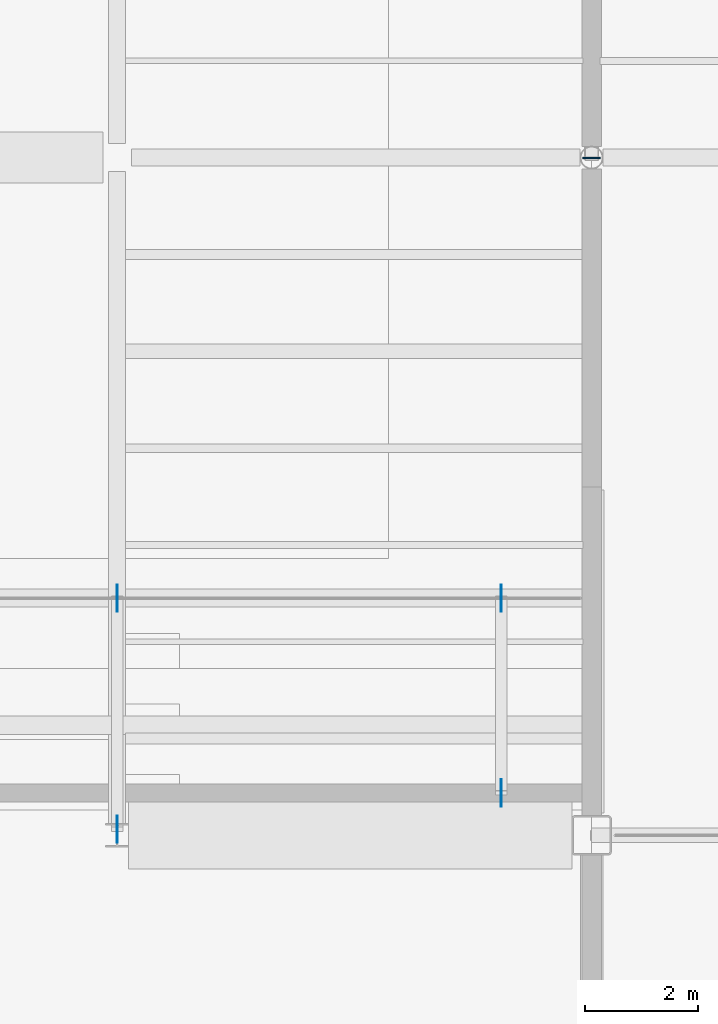
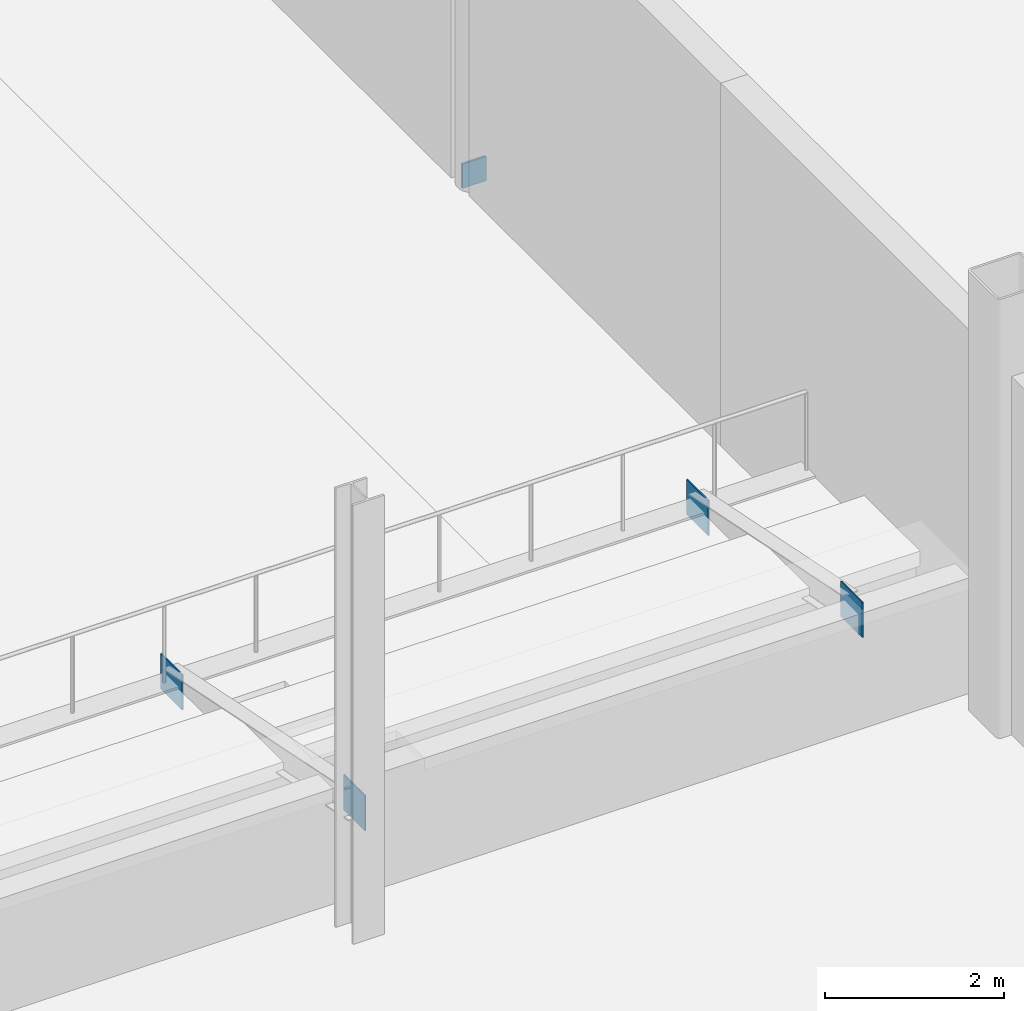
# One storey, part 90 of 135: 5 plates.
"""IFC4 building model written with IfcOpenShell, lengths in metres."""

import ifcopenshell
import ifcopenshell.guid

model = None  # the IFC model being written
_history = None  # IfcOwnerHistory: only IFC2X3 demands one
_inside = {}  # id of a spatial element -> (the spatial element, [elements in it])
_under = {}  # id of a project, library or spatial element -> (it, [spatial elements below it])
_declared = {}  # id of a project -> (the project, [libraries it declares])
_typed = {}  # id of a type object -> (the type object, [elements of that type])
_made_of = {}  # id of a material, layer set ... -> (it, [elements and type objects made of it])


def new_model(schema):
    """Start an empty IFC model of exactly this schema.

    Asked for "IFC4X3", IfcOpenShell would pick the latest addendum, in which some entities
    have other attributes; the version numbers below select the first issue.
    IFC2X3 requires an IfcOwnerHistory on every rooted entity: one is made here for all.
    """
    global model, _history
    if schema == "IFC4X3":
        model = ifcopenshell.file(schema_version=(4, 3, 0, 0))
    else:
        model = ifcopenshell.file(schema=schema)
    _inside.clear()
    _under.clear()
    _declared.clear()
    _typed.clear()
    _made_of.clear()
    _history = None
    if model.schema == "IFC2X3":
        org = make("IfcOrganization", Name="unknown")
        user = make(
            "IfcPersonAndOrganization",
            ThePerson=make("IfcPerson", FamilyName="unknown"),
            TheOrganization=org,
        )
        app = make(
            "IfcApplication",
            ApplicationDeveloper=org,
            Version="unknown",
            ApplicationFullName="unknown",
            ApplicationIdentifier="unknown",
        )
        _history = make(
            "IfcOwnerHistory",
            OwningUser=user,
            OwningApplication=app,
            ChangeAction="ADDED",
            CreationDate=0,
        )
    return model


def make(cls, **values):
    """One entity of the class cls with the attributes given. An attribute that is None is left unset."""
    return model.create_entity(
        cls, **{name: value for name, value in values.items() if value is not None}
    )


def rooted(cls, **values):
    """An entity with a GlobalId (a new one), such as an element, a storey or a relation."""
    return make(cls, GlobalId=ifcopenshell.guid.new(), OwnerHistory=_history, **values)


def si_unit(unit_type, name, prefix=None):
    """IfcSIUnit, for example si_unit("LENGTHUNIT", "METRE", prefix="MILLI")."""
    return make("IfcSIUnit", UnitType=unit_type, Prefix=prefix, Name=name)


def assignment(units):
    """IfcUnitAssignment: the units of a project."""
    return None if units is None else make("IfcUnitAssignment", Units=units)


def point(xyz):
    """IfcCartesianPoint."""
    return None if xyz is None else make("IfcCartesianPoint", Coordinates=xyz)


def direction(xyz):
    """IfcDirection."""
    return None if xyz is None else make("IfcDirection", DirectionRatios=xyz)


def frame(location, z_axis=None, x_axis=None):
    """IfcAxis2Placement3D, a coordinate frame: its origin and axes. An axis left out is left unset."""
    return make(
        "IfcAxis2Placement3D",
        Location=point(location),
        Axis=direction(z_axis),
        RefDirection=direction(x_axis),
    )


def frame_2d(location, x_axis=None):
    """IfcAxis2Placement2D, a coordinate frame in the plane: its origin and x axis."""
    return make(
        "IfcAxis2Placement2D", Location=point(location), RefDirection=direction(x_axis)
    )


def origin():
    """The frame at (0, 0, 0) with its axes left unset."""
    return frame((0.0, 0.0, 0.0))


def origin_2d():
    """The frame at (0, 0) in the plane with its x axis left unset."""
    return frame_2d((0.0, 0.0))


def place(relative_to, where):
    """IfcLocalPlacement: puts the frame where relative to a parent placement (None: the world)."""
    return make(
        "IfcLocalPlacement", PlacementRelTo=relative_to, RelativePlacement=where
    )


def context(
    kind, dimensions, precision=None, world=None, true_north=None, identifier=None
):
    """IfcGeometricRepresentationContext, for example the 3D "Model" context."""
    return make(
        "IfcGeometricRepresentationContext",
        ContextIdentifier=identifier,
        ContextType=kind,
        CoordinateSpaceDimension=dimensions,
        Precision=precision,
        WorldCoordinateSystem=world,
        TrueNorth=true_north,
    )


def subcontext(parent, identifier, kind, view, scale=None):
    """IfcGeometricRepresentationSubContext, for example "Body" below "Model"."""
    return make(
        "IfcGeometricRepresentationSubContext",
        ContextIdentifier=identifier,
        ContextType=kind,
        ParentContext=parent,
        TargetScale=scale,
        TargetView=view,
    )


def project(units=None, contexts=None):
    """IfcProject with its units and contexts."""
    return rooted(
        "IfcProject",
        Name="project",
        RepresentationContexts=contexts,
        UnitsInContext=assignment(units),
    )


def spatial(cls, under=None, at=None, **own):
    """A site, building, storey or space (cls), placed at a placement, below another one or the project."""
    s = rooted(cls, ObjectPlacement=at, **own)
    if under is not None:
        _under.setdefault(under.id(), (under, []))[1].append(s)
    return s


def profile(cls, at=None, kind="AREA", **sizes):
    """A parametric profile (cls). Its sizes go by their IFC names, for example OverallWidth=200.0."""
    return make(cls, ProfileType=kind, Position=at, **sizes)


def rectangle(**sizes):
    """IfcRectangleProfileDef."""
    return profile("IfcRectangleProfileDef", **sizes)


def extrude(swept, where, along, depth):
    """IfcExtrudedAreaSolid: the profile swept, set in the frame where, extruded along a direction by depth."""
    return make(
        "IfcExtrudedAreaSolid",
        SweptArea=swept,
        Position=where,
        ExtrudedDirection=direction(along),
        Depth=depth,
    )


def shape(context_of_items, identifier, shape_type, items):
    """IfcShapeRepresentation: the items that make up one representation, for example the "Body"."""
    return make(
        "IfcShapeRepresentation",
        ContextOfItems=context_of_items,
        RepresentationIdentifier=identifier,
        RepresentationType=shape_type,
        Items=items,
    )


def material(Name=None, Category=None):
    """IfcMaterial."""
    return make("IfcMaterial", Name=Name, Category=Category)


def layer(
    of_material, thickness, ventilated=None, Name=None, Category=None, Priority=None
):
    """IfcMaterialLayer: one layer of a wall or slab, of a material (None: an air gap)."""
    return make(
        "IfcMaterialLayer",
        Material=of_material,
        LayerThickness=thickness,
        IsVentilated=ventilated,
        Name=Name,
        Category=Category,
        Priority=Priority,
    )


def layer_set(layers, Name=None):
    """IfcMaterialLayerSet."""
    return make("IfcMaterialLayerSet", MaterialLayers=layers, LayerSetName=Name)


def made_of(thing, what):
    """Note that an element or type object is made of a material, layer set ...; save() writes the relation."""
    if what is not None:
        _made_of.setdefault(what.id(), (what, []))[1].append(thing)
    return thing


def type_object(cls, material=None, **own):
    """A type object (cls), such as IfcWallType, which elements share."""
    return made_of(rooted(cls, **own), material)


def element(
    cls,
    number,
    at=None,
    inside=None,
    cuts=None,
    type_object=None,
    material=None,
    context=None,
    identifier="Body",
    shape_type=None,
    held_by="IfcProductDefinitionShape",
    body=None,
    shapes=None,
    **own,
):
    """One element of the class cls, such as IfcWall. Its Tag is "e" and its number.

    at: its placement. inside: the storey or other place that contains it. cuts: it is an
    opening in that element (IfcRelVoidsElement). A single representation is given by context,
    identifier, shape_type and body (its items); several are given by shapes. held_by: the class
    of the entity that holds the representations. save() writes the other relations.
    """
    e = rooted(cls, Tag="e%d" % number, ObjectPlacement=at, **own)
    if body is not None:
        shapes = [shape(context, identifier, shape_type, body)]
    if shapes is not None:
        e.Representation = make(held_by, Representations=shapes)
    if inside is not None:
        _inside.setdefault(inside.id(), (inside, []))[1].append(e)
    if cuts is not None:
        rooted(
            "IfcRelVoidsElement", RelatingBuildingElement=cuts, RelatedOpeningElement=e
        )
    if type_object is not None:
        _typed.setdefault(type_object.id(), (type_object, []))[1].append(e)
    return made_of(e, material)


def aggregate(whole, parts):
    """IfcRelAggregates: a whole, such as a stair, and the parts it consists of."""
    return rooted("IfcRelAggregates", RelatingObject=whole, RelatedObjects=parts)


def save(model, path):
    """Write the relations noted so far, then the file.

    IfcRelAggregates (storeys below a building ...), IfcRelContainedInSpatialStructure (elements
    in a storey), IfcRelDefinesByType, IfcRelAssociatesMaterial and IfcRelDeclares: one each for
    every whole, place, type object, material and project.
    """
    for whole, parts in _under.values():
        aggregate(whole, parts)
    for where, things in _inside.values():
        rooted(
            "IfcRelContainedInSpatialStructure",
            RelatedElements=things,
            RelatingStructure=where,
        )
    for kind, things in _typed.values():
        rooted("IfcRelDefinesByType", RelatedObjects=things, RelatingType=kind)
    for what, things in _made_of.values():
        rooted("IfcRelAssociatesMaterial", RelatedObjects=things, RelatingMaterial=what)
    for by, libraries in _declared.values():
        rooted("IfcRelDeclares", RelatingContext=by, RelatedDefinitions=libraries)
    model.write(path)


model = new_model("IFC4")

# Units and contexts
model_context = context("Model", 3, precision=1e-05, world=origin(), true_north=direction((0.0, 1.0)))
body_context = subcontext(model_context, "Body", "Model", "MODEL_VIEW")
ifc_project = project(units=[si_unit("LENGTHUNIT", "METRE"), si_unit("AREAUNIT", "SQUARE_METRE"), si_unit("VOLUMEUNIT", "CUBIC_METRE"), si_unit("PLANEANGLEUNIT", "RADIAN"), si_unit("MASSUNIT", "GRAM", prefix="KILO")], contexts=[model_context])

# Site, building, storey
site_placement = place(None, origin())
site = spatial("IfcSite", under=ifc_project, at=site_placement, CompositionType="ELEMENT")
building_placement = place(site_placement, origin())
building = spatial("IfcBuilding", under=site, at=building_placement, Name="Larkvane Passage Sports Hall", CompositionType="ELEMENT")
storey_placement = place(building_placement, frame((0.0, 0.0, 10.800048828125)))
storey = spatial("IfcBuildingStorey", under=building, at=storey_placement, Name="L02", CompositionType="ELEMENT", Elevation=10.800048828125)

# Plates
ifc_material_1 = material(Name="Steel S355JR", Category="steel")
ifc_layer_1 = layer(ifc_material_1, 0.011962890625)
ifc_layer_set_1 = layer_set([ifc_layer_1], Name="Steel S355JR")
plate_type_1 = type_object("IfcPlateType", Name="PLT-CAP-12", PredefinedType="SHEET", material=ifc_layer_set_1)
plate_placement = place(storey_placement, frame((93.60009765625, 51.594482421875, -0.01904296875), z_axis=(0.0, 0.0, 1.0), x_axis=(-1.0, 0.0, 0.0)))
element("IfcPlate", 1, at=plate_placement, inside=storey, type_object=plate_type_1, Name="Hollow section sealed end cap plate 0576", PredefinedType="SHEET", context=body_context, shape_type="SweptSolid", body=[
    extrude(rectangle(XDim=0.31005859375, YDim=0.028076171875, at=origin_2d()), origin(), (0.0, 0.0, 1.0), 0.3330078125),
])
ifc_material_2 = material(Name="Steel S460N", Category="steel")
ifc_layer_2 = layer(ifc_material_2, 0.01611328125)
ifc_layer_set_2 = layer_set([ifc_layer_2], Name="Steel S460N")
plate_type_2 = type_object("IfcPlateType", Name="PLT-GUS-16", PredefinedType="USERDEFINED", material=ifc_layer_set_2)
for number, where, z_axis, x_axis, name in (
    (2, (85.199951171875, 43.800048828125, 0.60986328125), (0.0, 0.0, 1.0), (0.0, -1.0, 0.0), "Brace connection gusset plate 0067"),
    (3, (85.199951171875, 39.70703125, 1.43994140625), (0.0, 0.0, 1.0), (0.0, -1.0, 0.0), "Brace connection gusset plate 0068"),
    (4, (92.0, 43.800048828125, 0.60986328125), (0.0, 0.0, 1.0), (0.0, -1.0, 0.0), "Brace connection gusset plate 0071"),
    (5, (92.0, 40.35009765625, 1.31005859375), (0.0, 0.0, 1.0), (0.0, -1.0, 0.0), "Brace connection gusset plate 0072"),
):
    element("IfcPlate", number, at=place(storey_placement, frame(where, z_axis=z_axis, x_axis=x_axis)), inside=storey, type_object=plate_type_2, Name=name, ObjectType="GUSSET PLATE", PredefinedType="USERDEFINED", context=body_context, shape_type="SweptSolid", body=[
        extrude(rectangle(XDim=0.47998046875, YDim=0.01611328125, at=origin_2d()), origin(), (0.0, 0.0, 1.0), 0.47998046875),
    ])

save(model, "model.ifc")
